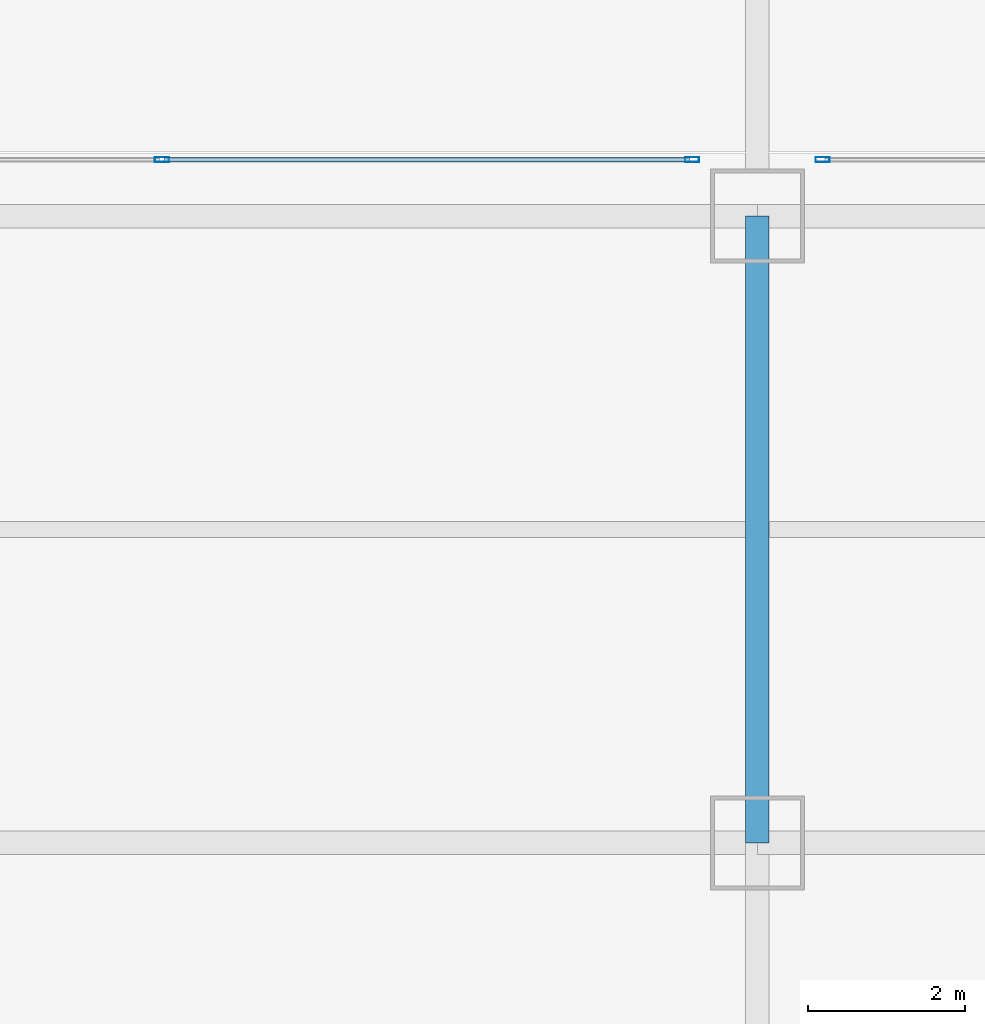
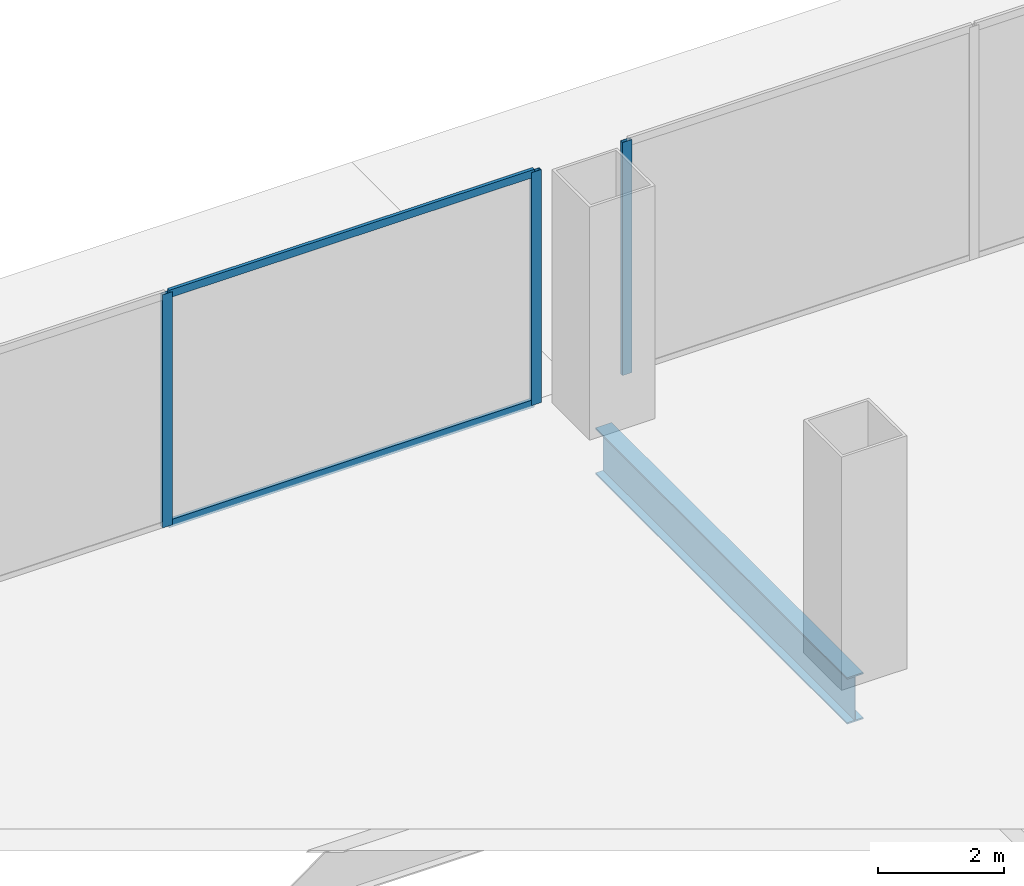
# One storey, part 25 of 42: 5 members, 1 beam, 2 elements without a shape of their own.
"""IFC4 building model written with IfcOpenShell, lengths in metres."""

from ifc_helpers import new_model, si_unit, direction, frame, origin, origin_2d, place, context, subcontext, project, spatial, hollow_rectangle, i_section, extrude, source, transform, mapped, material, layer, layer_set, material_profile, profile_set, type_object, element, aggregate, save


model = new_model("IFC4")

# Units and contexts
model_context = context("Model", 3, precision=1e-05, world=origin(), true_north=direction((0.0, 1.0)))
body_context = subcontext(model_context, "Body", "Model", "MODEL_VIEW")
ifc_project = project(units=[si_unit("LENGTHUNIT", "METRE"), si_unit("AREAUNIT", "SQUARE_METRE"), si_unit("VOLUMEUNIT", "CUBIC_METRE"), si_unit("PLANEANGLEUNIT", "RADIAN"), si_unit("MASSUNIT", "GRAM", prefix="KILO"), si_unit("THERMODYNAMICTEMPERATUREUNIT", "KELVIN"), si_unit("POWERUNIT", "WATT")], contexts=[model_context])

# Site, building, storey
site_placement = place(None, origin())
site = spatial("IfcSite", under=ifc_project, at=site_placement, CompositionType="ELEMENT")
building_placement = place(site_placement, origin())
building = spatial("IfcBuilding", under=site, at=building_placement, Name="Yunzhuo Pagoda Commons", CompositionType="ELEMENT")
storey_placement = place(building_placement, frame((0.0, 0.0, 4.800048828125)))
storey = spatial("IfcBuildingStorey", under=building, at=storey_placement, Name="L02", CompositionType="ELEMENT", Elevation=4.800048828125)

# Beam
ifc_material_1 = material(Name="Structural steel Q355B", Category="steel")
ifc_material_profile_1 = material_profile(ifc_material_1, i_section(OverallWidth=0.300048828125, OverallDepth=0.89990234375, WebThickness=0.01611328125, FlangeThickness=0.028076171875, at=origin_2d()), Name="Structural steel Q355B")
ifc_profile_set_1 = profile_set([ifc_material_profile_1], Name="Structural steel Q355B")
beam_type = type_object("IfcBeamType", Name="B-PD1 Beam HN 900x300x16x28", PredefinedType="BEAM", material=ifc_profile_set_1)
shared_shape_1 = source(origin(), body_context, "Body", "SweptSolid", [
    extrude(i_section(OverallWidth=0.300048828125, OverallDepth=0.89990234375, WebThickness=0.01611328125, FlangeThickness=0.028076171875, at=origin_2d()), origin(), (0.0, 0.0, 1.0), 8.0),
])
beam_placement = place(storey_placement, frame((62.39990234375, 81.199951171875, -0.72998046875), z_axis=(0.0, 1.0, 0.0), x_axis=(-1.0, 0.0, 0.0)))
element("IfcBeam", 1, at=beam_placement, inside=storey, type_object=beam_type, Name="L02 podium girder NS 4.5", PredefinedType="BEAM", context=body_context, shape_type="MappedRepresentation", body=[
    mapped(shared_shape_1, transform((0.0, 0.0, 0.0), scale=1.0)),
])

# Curtain wall, members
ifc_material_2 = material(Name="Anodized aluminium 6063-T6", Category="aluminium")
ifc_layer = layer(ifc_material_2, 0.179931640625)
ifc_layer_set = layer_set([ifc_layer], Name="Anodized aluminium 6063-T6")
curtain_wall_type = type_object("IfcCurtainWallType", Name="CW-POD Waterfront Podium Curtain Wall", PredefinedType="NOTDEFINED", material=ifc_layer_set)
curtain_wall_1_placement = place(storey_placement, origin())
curtain_wall_1 = element("IfcCurtainWall", 2, at=curtain_wall_1_placement, inside=storey, type_object=curtain_wall_type, Name="L02 curtain wall CW-L02-N3", PredefinedType="NOTDEFINED")
ifc_material_profile_2 = material_profile(ifc_material_2, hollow_rectangle(XDim=0.06494140625, YDim=0.179931640625, WallThickness=0.00390625, at=origin_2d()), Name="Anodized aluminium 6063-T6")
ifc_profile_set_2 = profile_set([ifc_material_profile_2], Name="Anodized aluminium 6063-T6")
member_type_1 = type_object("IfcMemberType", Name="CW-POD-M Mullion RHS 180x65x4", PredefinedType="MULLION", material=ifc_profile_set_2)
shared_shape_2 = source(origin(), body_context, "Body", "SweptSolid", [
    extrude(hollow_rectangle(XDim=0.06494140625, YDim=0.179931640625, WallThickness=0.00390625, at=origin_2d()), origin(), (0.0, 0.0, 1.0), 4.52001953125),
])
member_1_placement = place(storey_placement, frame((54.800048828125, 89.919921875, 0.0), z_axis=(0.0, 0.0, 1.0), x_axis=(0.0, 1.0, 0.0)))
member_1 = element("IfcMember", 3, at=member_1_placement, type_object=member_type_1, Name="CW mullion 4", PredefinedType="MULLION", context=body_context, shape_type="MappedRepresentation", body=[
    mapped(shared_shape_2, transform((0.0, 0.0, 0.0), scale=1.0)),
])
member_2_placement = place(storey_placement, frame((61.5673828125, 89.919921875, 0.0), z_axis=(0.0, 0.0, 1.0), x_axis=(0.0, 1.0, 0.0)))
member_2 = element("IfcMember", 4, at=member_2_placement, type_object=member_type_1, Name="CW mullion 5", PredefinedType="MULLION", context=body_context, shape_type="MappedRepresentation", body=[
    mapped(shared_shape_2, transform((0.0, 0.0, 0.0), scale=1.0)),
])

# Curtain wall, member
curtain_wall_2_placement = place(storey_placement, origin())
curtain_wall_2 = element("IfcCurtainWall", 5, at=curtain_wall_2_placement, inside=storey, type_object=curtain_wall_type, Name="L02 curtain wall CW-L02-N4", PredefinedType="NOTDEFINED")
member_3_placement = place(storey_placement, frame((63.232421875, 89.919921875, 0.0), z_axis=(0.0, 0.0, 1.0), x_axis=(0.0, 1.0, 0.0)))
member_3 = element("IfcMember", 6, at=member_3_placement, type_object=member_type_1, Name="CW mullion 1", PredefinedType="MULLION", context=body_context, shape_type="MappedRepresentation", body=[
    mapped(shared_shape_2, transform((0.0, 0.0, 0.0), scale=1.0)),
])
aggregate(curtain_wall_2, [member_3])

# Member
ifc_material_profile_3 = material_profile(ifc_material_2, hollow_rectangle(XDim=0.06005859375, YDim=0.14990234375, WallThickness=0.00390625, at=origin_2d()), Name="Anodized aluminium 6063-T6")
ifc_profile_set_3 = profile_set([ifc_material_profile_3], Name="Anodized aluminium 6063-T6")
member_type_2 = type_object("IfcMemberType", Name="CW-POD-T Transom RHS 150x60x4", PredefinedType="USERDEFINED", material=ifc_profile_set_3)
shared_shape_3 = source(origin(), body_context, "Body", "SweptSolid", [
    extrude(hollow_rectangle(XDim=0.06005859375, YDim=0.14990234375, WallThickness=0.00390625, at=origin_2d()), origin(), (0.0, 0.0, 1.0), 6.7021484375),
])
member_4_placement = place(storey_placement, frame((54.832763671875, 89.919921875, 0.030029296875), z_axis=(1.0, 0.0, 0.0), x_axis=(0.0, 1.0, 0.0)))
member_4 = element("IfcMember", 7, at=member_4_placement, type_object=member_type_2, Name="CW transom 4.1", ObjectType="TRANSOM", PredefinedType="USERDEFINED", context=body_context, shape_type="MappedRepresentation", body=[
    mapped(shared_shape_3, transform((0.0, 0.0, 0.0), scale=1.0)),
])

member_5_placement = place(storey_placement, frame((54.832763671875, 89.919921875, 4.489990234375), z_axis=(1.0, 0.0, 0.0), x_axis=(0.0, 1.0, 0.0)))
member_5 = element("IfcMember", 8, at=member_5_placement, type_object=member_type_2, Name="CW transom 4.2", ObjectType="TRANSOM", PredefinedType="USERDEFINED", context=body_context, shape_type="MappedRepresentation", body=[
    mapped(shared_shape_3, transform((0.0, 0.0, 0.0), scale=1.0)),
])

aggregate(curtain_wall_1, [member_1, member_2, member_4, member_5])

save(model, "model.ifc")
